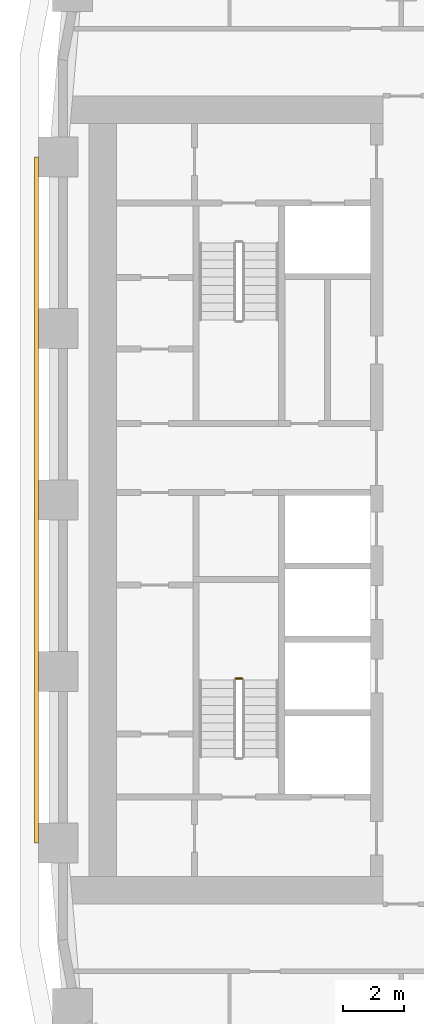
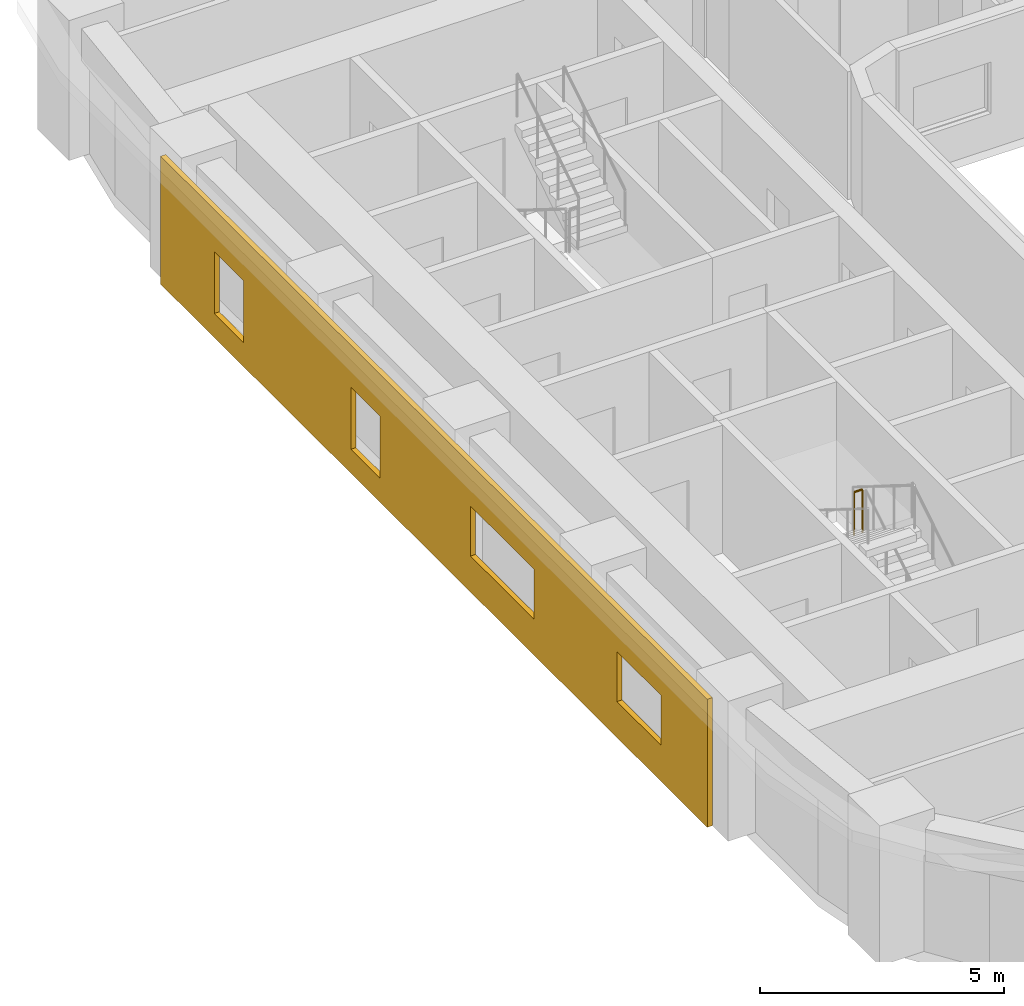
# One storey, part 14 of 23: 1 covering, 1 railing.
"""IFC4 building model written with IfcOpenShell, lengths in metres."""

from ifc_helpers import new_model, si_unit, direction, frame, origin, origin_2d, place, context, subcontext, project, spatial, polyline, circle, outline, extrude, material, layer, layer_set, type_object, element, save


model = new_model("IFC4")

# Units and contexts
model_context = context("Model", 3, precision=1e-05, world=origin(), true_north=direction((0.0, 1.0)))
body_context = subcontext(model_context, "Body", "Model", "MODEL_VIEW")
ifc_project = project(units=[si_unit("LENGTHUNIT", "METRE"), si_unit("AREAUNIT", "SQUARE_METRE"), si_unit("VOLUMEUNIT", "CUBIC_METRE"), si_unit("PLANEANGLEUNIT", "RADIAN"), si_unit("MASSUNIT", "GRAM", prefix="KILO")], contexts=[model_context])

# Site, building, storey
site_placement = place(None, origin())
site = spatial("IfcSite", under=ifc_project, at=site_placement, CompositionType="ELEMENT")
building_placement = place(site_placement, origin())
building = spatial("IfcBuilding", under=site, at=building_placement, Name="Kiln Ring Residences", CompositionType="ELEMENT")
storey_placement = place(building_placement, frame((0.0, 0.0, 86.800048828125)))
storey = spatial("IfcBuildingStorey", under=building, at=storey_placement, Name="L21", CompositionType="ELEMENT", Elevation=86.800048828125)

# Railing
ifc_material_1 = material(Name="Stainless steel", Category="steel")
railing_type = type_object("IfcRailingType", Name="CORE-STAIR-GUARD", PredefinedType="GUARDRAIL", material=ifc_material_1)
railing_placement = place(storey_placement, frame((-22.0, -5.830078125, 1.75)))
element("IfcRailing", 1, at=railing_placement, inside=storey, type_object=railing_type, Name="L21 W-STS stair guard 2", PredefinedType="GUARDRAIL", context=body_context, shape_type="SweptSolid", body=[
    extrude(circle(Radius=0.02392578125, at=origin_2d()), frame((0.0, 0.0, 1.076171875), z_axis=(-1.0, 0.0, 0.0), x_axis=(0.0, -1.0, 0.0)), (0.0, 0.0, 1.0), 0.199951171875),
    extrude(circle(Radius=0.02099609375, at=origin_2d()), origin(), (0.0, 0.0, 1.0), 1.052001953125),
    extrude(circle(Radius=0.02099609375, at=origin_2d()), frame((-0.199951171875, 0.0, 0.0)), (0.0, 0.0, 1.0), 1.052001953125),
])

# Covering
ifc_material_2 = material(Name="Brick masonry, dark clay brick", Category="masonry")
ifc_layer = layer(ifc_material_2, 0.1201171875)
ifc_layer_set = layer_set([ifc_layer], Name="RAINSCREEN PANEL 120")
covering_type = type_object("IfcCoveringType", Name="RAINSCREEN PANEL 120", PredefinedType="CLADDING", material=ifc_layer_set)
covering_placement = place(storey_placement, frame((-28.7099609375, 11.199951171875, 0.0), z_axis=(0.0, 0.0, 1.0), x_axis=(0.0, -1.0, 0.0)))
element("IfcCovering", 2, at=covering_placement, inside=storey, type_object=covering_type, Name="RAINSCREEN L21", PredefinedType="CLADDING", context=body_context, shape_type="SweptSolid", body=[
    extrude(outline(polyline([(0.0, 0.0), (22.39990234375, 0.0), (22.39990234375, 3.199951171875), (0.0, 3.199951171875), (0.0, 0.0)]), holes=[polyline([(3.39990234375, 0.599853515625), (3.39990234375, 2.14990234375), (2.199951171875, 2.14990234375), (2.199951171875, 0.599853515625), (3.39990234375, 0.599853515625)]), polyline([(9.0, 0.599853515625), (9.0, 2.14990234375), (7.800048828125, 2.14990234375), (7.800048828125, 0.599853515625), (9.0, 0.599853515625)]), polyline([(15.300048828125, 0.89990234375), (15.300048828125, 2.14990234375), (12.699951171875, 2.14990234375), (12.699951171875, 0.89990234375), (15.300048828125, 0.89990234375)]), polyline([(20.5, 0.89990234375), (20.5, 2.14990234375), (18.699951171875, 2.14990234375), (18.699951171875, 0.89990234375), (20.5, 0.89990234375)])]), frame((0.0, 0.06005859375, 0.0), z_axis=(0.0, -1.0, 0.0), x_axis=(1.0, 0.0, 0.0)), (0.0, 0.0, 1.0), 0.1201171875),
])

save(model, "model.ifc")
